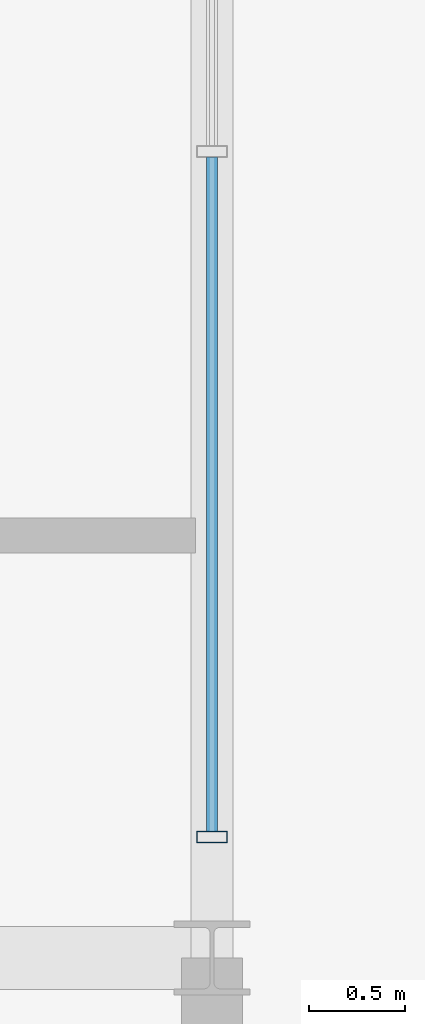
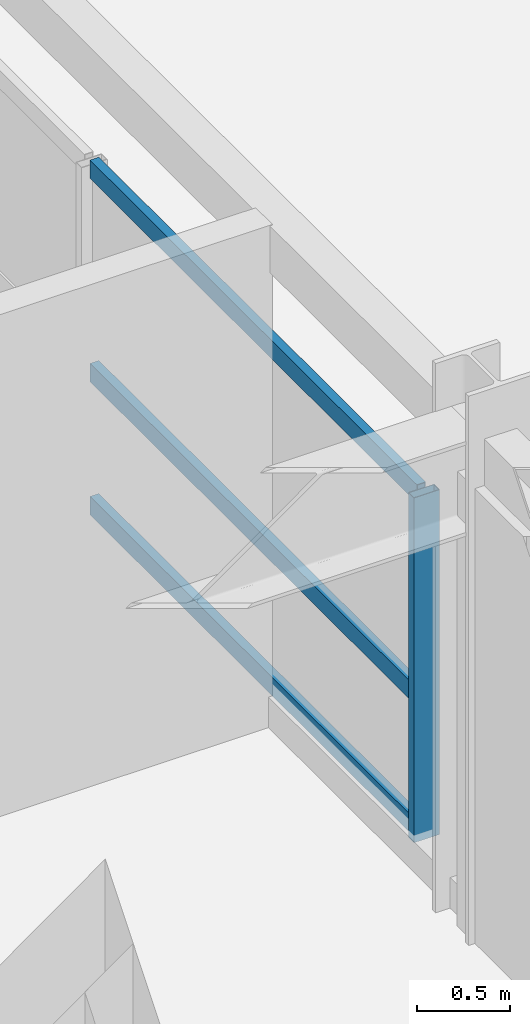
# One storey, part 13 of 24: 4 members, 1 element without a shape of its own.
"""IFC4 building model written with IfcOpenShell, lengths in metres."""

from ifc_helpers import new_model, si_unit, direction, frame, origin, origin_2d, place, context, subcontext, project, spatial, hollow_rectangle, extrude, material, material_profile, profile_set, type_object, element, aggregate, save


model = new_model("IFC4")

# Units and contexts
model_context = context("Model", 3, precision=1e-05, world=origin(), true_north=direction((0.0, 1.0)))
body_context = subcontext(model_context, "Body", "Model", "MODEL_VIEW")
ifc_project = project(units=[si_unit("LENGTHUNIT", "METRE"), si_unit("AREAUNIT", "SQUARE_METRE"), si_unit("VOLUMEUNIT", "CUBIC_METRE"), si_unit("PLANEANGLEUNIT", "RADIAN"), si_unit("MASSUNIT", "GRAM", prefix="KILO")], contexts=[model_context])

# Site, building, storey
site_placement = place(None, origin())
site = spatial("IfcSite", under=ifc_project, at=site_placement, CompositionType="ELEMENT")
building_placement = place(site_placement, origin())
building = spatial("IfcBuilding", under=site, at=building_placement, Name="Kaldorvane Square Convention Centre", CompositionType="ELEMENT")
storey_placement = place(building_placement, frame((0.0, 0.0, 60.0)))
storey = spatial("IfcBuildingStorey", under=building, at=storey_placement, Name="L14", CompositionType="ELEMENT", Elevation=60.0)

# Curtain wall, members
ifc_material = material(Name="Anodized Aluminum and Low-E Insulated Glazing", Category="aluminium")
curtain_wall_type = type_object("IfcCurtainWallType", Name="CW-UNI-HTL-A", PredefinedType="USERDEFINED", material=ifc_material)
curtain_wall_placement = place(storey_placement, origin())
curtain_wall = element("IfcCurtainWall", 1, at=curtain_wall_placement, inside=storey, type_object=curtain_wall_type, Name="Curtain Wall CW-10 (L14)", ObjectType="UNITISED GLAZING", PredefinedType="USERDEFINED")
ifc_material_profile_1 = material_profile(ifc_material, hollow_rectangle(XDim=0.05999755859375, YDim=0.160003662109375, WallThickness=0.003204345703125, at=origin_2d()), Name="CWM-160X60")
ifc_profile_set_1 = profile_set([ifc_material_profile_1], Name="Anodized Aluminum and Low-E Insulated Glazing")
member_type_1 = type_object("IfcMemberType", Name="CW-MUL-160", PredefinedType="MULLION", material=ifc_profile_set_1)
member_1_placement = place(storey_placement, frame((78.0, 105.6300048828125, 0.149993896484375), z_axis=(0.0, 0.0, 1.0), x_axis=(0.0, 1.0, 0.0)))
member_1 = element("IfcMember", 2, at=member_1_placement, type_object=member_type_1, Name="CW-10 mullion 1", PredefinedType="MULLION", context=body_context, shape_type="SweptSolid", body=[
    extrude(hollow_rectangle(XDim=0.05999755859375, YDim=0.160003662109375, WallThickness=0.003204345703125, at=origin_2d()), origin(), (0.0, 0.0, 1.0), 2.260009765625),
])
ifc_material_profile_2 = material_profile(ifc_material, hollow_rectangle(XDim=0.05499267578125, YDim=0.1199951171875, WallThickness=0.0030059814453125, at=origin_2d()), Name="CWT-120X55")
ifc_profile_set_2 = profile_set([ifc_material_profile_2], Name="Anodized Aluminum and Low-E Insulated Glazing")
member_type_2 = type_object("IfcMemberType", Name="CW-TRN-120", PredefinedType="USERDEFINED", material=ifc_profile_set_2)
member_2_placement = place(storey_placement, frame((78.0, 105.66000366210938, 0.1775054931640625), z_axis=(0.0, 1.0, 0.0), x_axis=(-1.0, 0.0, 0.0)))
member_2 = element("IfcMember", 3, at=member_2_placement, type_object=member_type_2, Name="CW-10 transom 1.1", ObjectType="TRANSOM", PredefinedType="USERDEFINED", context=body_context, shape_type="SweptSolid", body=[
    extrude(hollow_rectangle(XDim=0.05499267578125, YDim=0.1199951171875, WallThickness=0.0030059814453125, at=origin_2d()), origin(), (0.0, 0.0, 1.0), 3.5099945068359375),
])
member_3_placement = place(storey_placement, frame((78.0, 105.66000366210938, 1.0500030517578125), z_axis=(0.0, 1.0, 0.0), x_axis=(-1.0, 0.0, 0.0)))
member_3 = element("IfcMember", 4, at=member_3_placement, type_object=member_type_2, Name="CW-10 transom 1.2", ObjectType="TRANSOM", PredefinedType="USERDEFINED", context=body_context, shape_type="SweptSolid", body=[
    extrude(hollow_rectangle(XDim=0.05499267578125, YDim=0.1199951171875, WallThickness=0.0030059814453125, at=origin_2d()), origin(), (0.0, 0.0, 1.0), 3.5099945068359375),
])
member_4_placement = place(storey_placement, frame((78.0, 105.66000366210938, 2.38250732421875), z_axis=(0.0, 1.0, 0.0), x_axis=(-1.0, 0.0, 0.0)))
member_4 = element("IfcMember", 5, at=member_4_placement, type_object=member_type_2, Name="CW-10 transom 1.3", ObjectType="TRANSOM", PredefinedType="USERDEFINED", context=body_context, shape_type="SweptSolid", body=[
    extrude(hollow_rectangle(XDim=0.05499267578125, YDim=0.1199951171875, WallThickness=0.0030059814453125, at=origin_2d()), origin(), (0.0, 0.0, 1.0), 3.5099945068359375),
])
aggregate(curtain_wall, [member_1, member_2, member_3, member_4])

save(model, "model.ifc")
